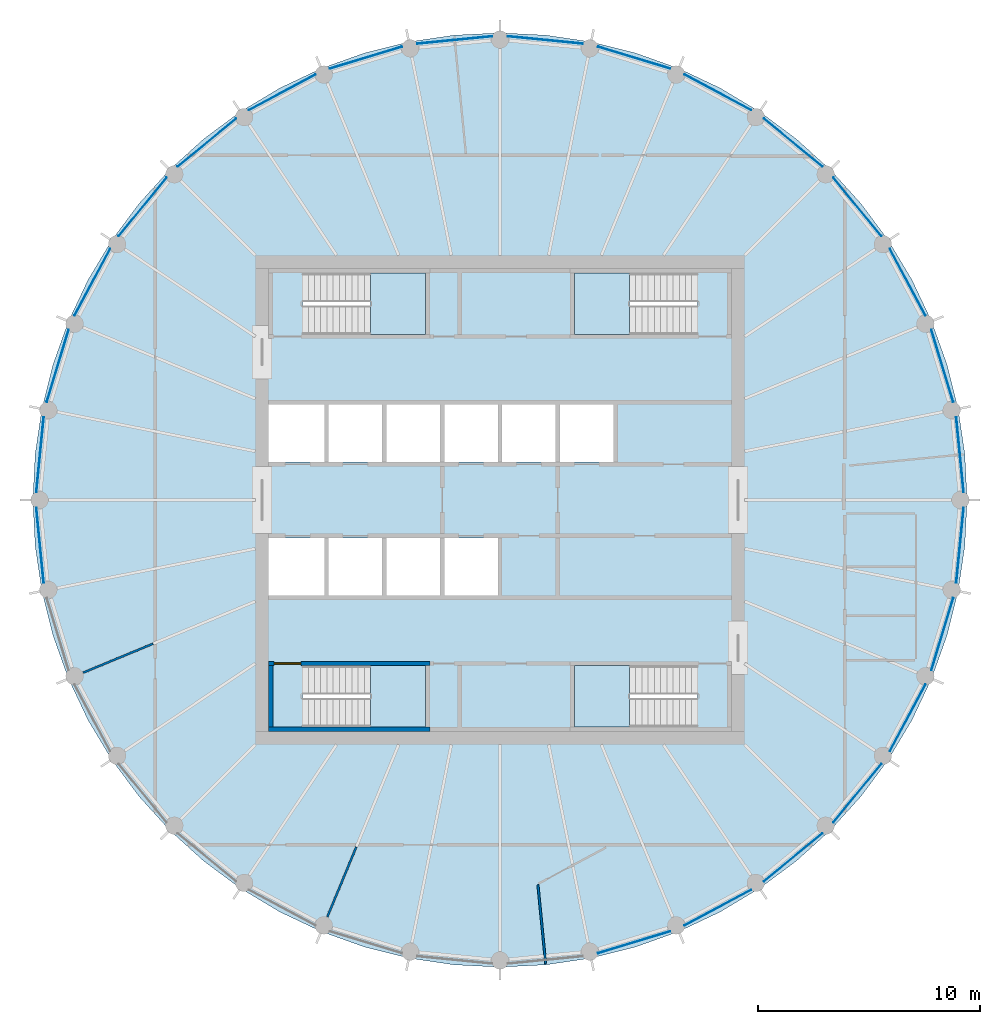
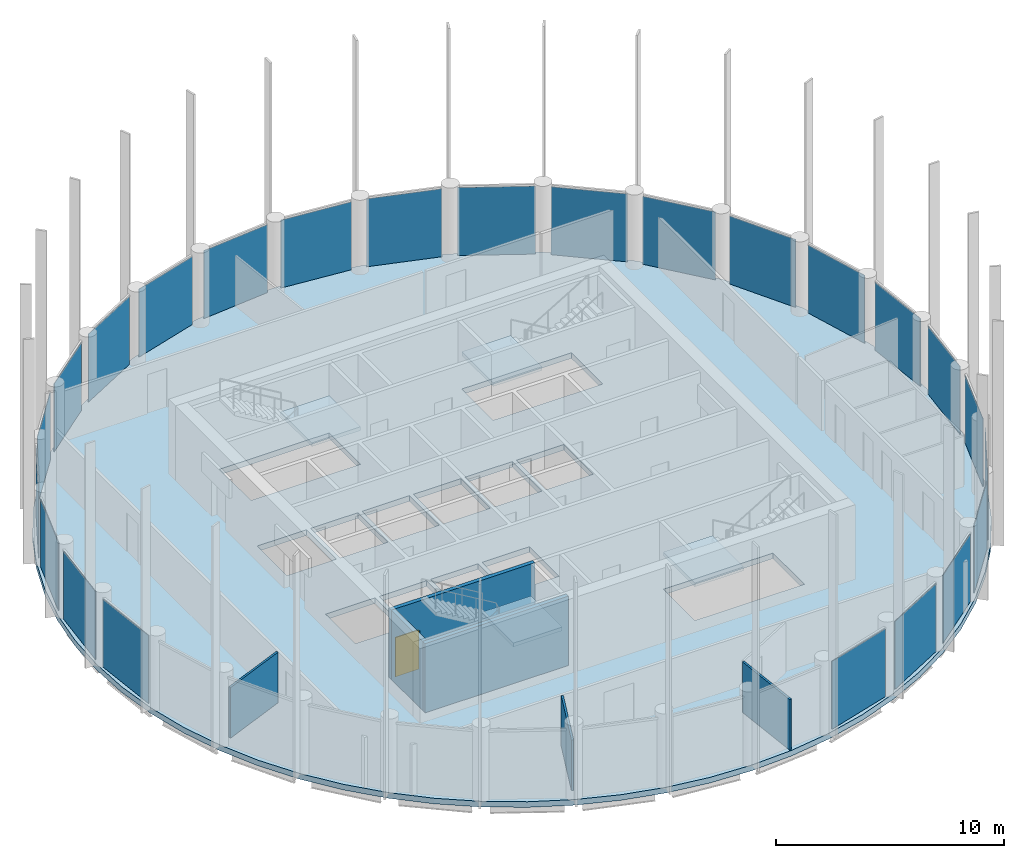
# One storey, part 3 of 7: 24 plates, 6 walls, 5 slabs, 1 door, 1 opening, 28 elements without a shape of their own.
"""IFC4 building model written with IfcOpenShell, lengths in metres."""

from ifc_helpers import new_model, si_unit, direction, frame, frame_2d, origin, origin_2d, place, context, subcontext, project, spatial, polyline, rectangle, outline, extrude, material, layer, layer_set, type_object, element, fill, aggregate, save


model = new_model("IFC4")

# Units and contexts
model_context = context("Model", 3, precision=1e-05, world=origin(), true_north=direction((0.0, 1.0)))
body_context = subcontext(model_context, "Body", "Model", "MODEL_VIEW")
ifc_project = project(units=[si_unit("LENGTHUNIT", "METRE"), si_unit("AREAUNIT", "SQUARE_METRE"), si_unit("VOLUMEUNIT", "CUBIC_METRE"), si_unit("PLANEANGLEUNIT", "RADIAN"), si_unit("MASSUNIT", "GRAM", prefix="KILO")], contexts=[model_context])

# Site, building, storey
site_placement = place(None, origin())
site = spatial("IfcSite", under=ifc_project, at=site_placement, CompositionType="ELEMENT")
building_placement = place(site_placement, origin())
building = spatial("IfcBuilding", under=site, at=building_placement, Name="Corvane Civic Tower", CompositionType="ELEMENT")
storey_placement = place(building_placement, frame((0.0, 0.0, 356.5)))
storey = spatial("IfcBuildingStorey", under=building, at=storey_placement, Name="L85", CompositionType="ELEMENT", Elevation=356.5)

# Slab
ifc_material_1 = material(Name="Concrete C40/50", Category="concrete")
ifc_layer_1 = layer(ifc_material_1, 0.300048828125)
ifc_layer_set_1 = layer_set([ifc_layer_1], Name="Concrete C40/50")
slab_type_1 = type_object("IfcSlabType", Name="FLOOR SLAB 300", PredefinedType="FLOOR", material=ifc_layer_set_1)
slab_1_placement = place(storey_placement, frame((0.0, 0.0, -0.300048828125)))
element("IfcSlab", 1, at=slab_1_placement, inside=storey, type_object=slab_type_1, Name="SLB-L85", PredefinedType="FLOOR", context=body_context, shape_type="SweptSolid", body=[
    extrude(outline(polyline([(0.0, 21.0), (-2.058349609375, 20.89892578125), (-4.096923828125, 20.596435546875), (-6.095947265625, 20.095703125), (-8.036376953125, 19.4013671875), (-9.8994140625, 18.520263671875), (-11.6669921875, 17.4609375), (-13.322265625, 16.233154296875), (-14.84912109375, 14.84912109375), (-16.233154296875, 13.322265625), (-17.4609375, 11.6669921875), (-18.520263671875, 9.8994140625), (-19.4013671875, 8.036376953125), (-20.095703125, 6.095947265625), (-20.596435546875, 4.096923828125), (-20.89892578125, 2.058349609375), (-21.0, 0.0), (-20.89892578125, -2.058349609375), (-20.596435546875, -4.096923828125), (-20.095703125, -6.095947265625), (-19.4013671875, -8.036376953125), (-18.520263671875, -9.8994140625), (-17.4609375, -11.6669921875), (-16.233154296875, -13.322265625), (-14.84912109375, -14.84912109375), (-13.322265625, -16.233154296875), (-11.6669921875, -17.4609375), (-9.8994140625, -18.520263671875), (-8.036376953125, -19.4013671875), (-6.095947265625, -20.095703125), (-4.096923828125, -20.596435546875), (-2.058349609375, -20.89892578125), (0.0, -21.0), (2.058349609375, -20.89892578125), (4.096923828125, -20.596435546875), (6.095947265625, -20.095703125), (8.036376953125, -19.4013671875), (9.8994140625, -18.520263671875), (11.6669921875, -17.4609375), (13.322265625, -16.233154296875), (14.84912109375, -14.84912109375), (16.233154296875, -13.322265625), (17.4609375, -11.6669921875), (18.520263671875, -9.8994140625), (19.4013671875, -8.036376953125), (20.095703125, -6.095947265625), (20.596435546875, -4.096923828125), (20.89892578125, -2.058349609375), (21.0, 0.0), (20.89892578125, 2.058349609375), (20.596435546875, 4.096923828125), (20.095703125, 6.095947265625), (19.4013671875, 8.036376953125), (18.520263671875, 9.8994140625), (17.4609375, 11.6669921875), (16.233154296875, 13.322265625), (14.84912109375, 14.84912109375), (13.322265625, 16.233154296875), (11.6669921875, 17.4609375), (9.8994140625, 18.520263671875), (8.036376953125, 19.4013671875), (6.095947265625, 20.095703125), (4.096923828125, 20.596435546875), (2.058349609375, 20.89892578125), (0.0, 21.0)]), holes=[polyline([(-10.39990234375, 4.300048828125), (-7.89990234375, 4.300048828125), (-7.89990234375, 1.699951171875), (-10.39990234375, 1.699951171875), (-10.39990234375, 4.300048828125)]), polyline([(-7.699951171875, 4.300048828125), (-5.300048828125, 4.300048828125), (-5.300048828125, 1.699951171875), (-7.699951171875, 1.699951171875), (-7.699951171875, 4.300048828125)]), polyline([(-5.10009765625, 4.300048828125), (-2.699951171875, 4.300048828125), (-2.699951171875, 1.699951171875), (-5.10009765625, 1.699951171875), (-5.10009765625, 4.300048828125)]), polyline([(-2.5, 4.300048828125), (-0.10009765625, 4.300048828125), (-0.10009765625, 1.699951171875), (-2.5, 1.699951171875), (-2.5, 4.300048828125)]), polyline([(0.10009765625, 4.300048828125), (2.5, 4.300048828125), (2.5, 1.699951171875), (0.10009765625, 1.699951171875), (0.10009765625, 4.300048828125)]), polyline([(2.699951171875, 4.300048828125), (5.10009765625, 4.300048828125), (5.10009765625, 1.699951171875), (2.699951171875, 1.699951171875), (2.699951171875, 4.300048828125)]), polyline([(-10.39990234375, -1.699951171875), (-7.89990234375, -1.699951171875), (-7.89990234375, -4.300048828125), (-10.39990234375, -4.300048828125), (-10.39990234375, -1.699951171875)]), polyline([(-7.699951171875, -4.300048828125), (-7.699951171875, -1.699951171875), (-5.300048828125, -1.699951171875), (-5.300048828125, -4.300048828125), (-7.699951171875, -4.300048828125)]), polyline([(-5.10009765625, -4.300048828125), (-5.10009765625, -1.699951171875), (-2.699951171875, -1.699951171875), (-2.699951171875, -4.300048828125), (-5.10009765625, -4.300048828125)]), polyline([(-0.10009765625, -1.699951171875), (-0.10009765625, -4.300048828125), (-2.5, -4.300048828125), (-2.5, -1.699951171875), (-0.10009765625, -1.699951171875)]), polyline([(8.889892578125, 10.199951171875), (8.889892578125, 7.449951171875), (3.35009765625, 7.449951171875), (3.35009765625, 10.199951171875), (8.889892578125, 10.199951171875)]), polyline([(-8.889892578125, 7.449951171875), (-8.889892578125, 10.199951171875), (-3.35009765625, 10.199951171875), (-3.35009765625, 7.449951171875), (-8.889892578125, 7.449951171875)]), polyline([(8.889892578125, -7.449951171875), (8.889892578125, -10.199951171875), (3.35009765625, -10.199951171875), (3.35009765625, -7.449951171875), (8.889892578125, -7.449951171875)]), polyline([(-8.889892578125, -10.199951171875), (-8.889892578125, -7.449951171875), (-3.35009765625, -7.449951171875), (-3.35009765625, -10.199951171875), (-8.889892578125, -10.199951171875)])]), origin(), (0.0, 0.0, 1.0), 0.300048828125),
])

# Stair, slab
ifc_material_2 = material(Name="Concrete C40/50", Category="concrete")
stair_type = type_object("IfcStairType", Name="ST-STAIR-HALFTURN", PredefinedType="HALF_TURN_STAIR", material=ifc_material_2)
stair_1_placement = place(storey_placement, origin())
stair_1 = element("IfcStair", 2, at=stair_1_placement, inside=storey, type_object=stair_type, Name="L85 Exit stair ST1", PredefinedType="HALF_TURN_STAIR")
ifc_material_3 = material(Name="Concrete C40/50", Category="concrete")
ifc_layer_2 = layer(ifc_material_3, 0.199951171875)
ifc_layer_set_2 = layer_set([ifc_layer_2], Name="Concrete C40/50")
slab_type_2 = type_object("IfcSlabType", Name="ST-LANDING-RC", PredefinedType="LANDING", material=ifc_layer_set_2)
slab_2_placement = place(storey_placement, frame((0.0, 0.0, 1.800048828125)))
slab_2 = element("IfcSlab", 3, at=slab_2_placement, type_object=slab_type_2, Name="ST1 landing 1", PredefinedType="LANDING", context=body_context, shape_type="SweptSolid", body=[
    extrude(outline(polyline([(5.820068359375, 10.199951171875), (3.35009765625, 10.199951171875), (3.35009765625, 7.449951171875), (5.820068359375, 7.449951171875), (5.820068359375, 10.199951171875)])), origin(), (0.0, 0.0, 1.0), 0.199951171875),
])
aggregate(stair_1, [slab_2])

stair_2_placement = place(storey_placement, origin())
stair_2 = element("IfcStair", 4, at=stair_2_placement, inside=storey, type_object=stair_type, Name="L85 Exit stair ST2", PredefinedType="HALF_TURN_STAIR")
slab_3_placement = place(storey_placement, frame((0.0, 0.0, 1.800048828125)))
slab_3 = element("IfcSlab", 5, at=slab_3_placement, type_object=slab_type_2, Name="ST2 landing 1", PredefinedType="LANDING", context=body_context, shape_type="SweptSolid", body=[
    extrude(outline(polyline([(5.820068359375, -7.449951171875), (3.35009765625, -7.449951171875), (3.35009765625, -10.199951171875), (5.820068359375, -10.199951171875), (5.820068359375, -7.449951171875)])), origin(), (0.0, 0.0, 1.0), 0.199951171875),
])
aggregate(stair_2, [slab_3])

stair_3_placement = place(storey_placement, origin())
stair_3 = element("IfcStair", 6, at=stair_3_placement, inside=storey, type_object=stair_type, Name="L85 Exit stair ST3", PredefinedType="HALF_TURN_STAIR")
slab_4_placement = place(storey_placement, frame((0.0, 0.0, 1.800048828125)))
slab_4 = element("IfcSlab", 7, at=slab_4_placement, type_object=slab_type_2, Name="ST3 landing 1", PredefinedType="LANDING", context=body_context, shape_type="SweptSolid", body=[
    extrude(outline(polyline([(-5.820068359375, -10.199951171875), (-3.35009765625, -10.199951171875), (-3.35009765625, -7.449951171875), (-5.820068359375, -7.449951171875), (-5.820068359375, -10.199951171875)])), origin(), (0.0, 0.0, 1.0), 0.199951171875),
])
aggregate(stair_3, [slab_4])

stair_4_placement = place(storey_placement, origin())
stair_4 = element("IfcStair", 8, at=stair_4_placement, inside=storey, type_object=stair_type, Name="L85 Exit stair ST4", PredefinedType="HALF_TURN_STAIR")
slab_5_placement = place(storey_placement, frame((0.0, 0.0, 1.800048828125)))
slab_5 = element("IfcSlab", 9, at=slab_5_placement, type_object=slab_type_2, Name="ST4 landing 1", PredefinedType="LANDING", context=body_context, shape_type="SweptSolid", body=[
    extrude(outline(polyline([(-5.820068359375, 7.449951171875), (-3.35009765625, 7.449951171875), (-3.35009765625, 10.199951171875), (-5.820068359375, 10.199951171875), (-5.820068359375, 7.449951171875)])), origin(), (0.0, 0.0, 1.0), 0.199951171875),
])
aggregate(stair_4, [slab_5])

# Curtain wall, plate
ifc_material_4 = material(Name="Anodised aluminium bronze", Category="aluminium")
curtain_wall_type = type_object("IfcCurtainWallType", Name="TOWER CW-T3 STICK CURTAIN WALL", PredefinedType="NOTDEFINED", material=ifc_material_4)
curtain_wall_1_placement = place(storey_placement, origin())
curtain_wall_1 = element("IfcCurtainWall", 10, at=curtain_wall_1_placement, inside=storey, type_object=curtain_wall_type, Name="Curtain wall CW-T3 L85 bay 01", PredefinedType="NOTDEFINED")
ifc_material_5 = material(Name="Tinted glass", Category="glass")
ifc_layer_3 = layer(ifc_material_5, 0.028076171875)
ifc_layer_set_3 = layer_set([ifc_layer_3], Name="Tinted glass")
plate_type = type_object("IfcPlateType", Name="TOWER CW-T3 PANEL IGU28", PredefinedType="CURTAIN_PANEL", material=ifc_layer_set_3)
plate_1_placement = place(storey_placement, frame((2.03662109375, 20.679443359375, 0.0), z_axis=(0.0, 0.0, 1.0), x_axis=(0.995186641028, -0.097997701601, 0.0)))
plate_1 = element("IfcPlate", 11, at=plate_1_placement, type_object=plate_type, Name="Glass panel CW-T3 L85 01.1", PredefinedType="CURTAIN_PANEL", context=body_context, shape_type="SweptSolid", body=[
    extrude(rectangle(XDim=3.402587890625, YDim=0.028076171875, at=origin_2d()), origin(), (0.0, 0.0, 1.0), 3.6298828125),
])
aggregate(curtain_wall_1, [plate_1])

curtain_wall_2_placement = place(storey_placement, origin())
curtain_wall_2 = element("IfcCurtainWall", 12, at=curtain_wall_2_placement, inside=storey, type_object=curtain_wall_type, Name="Curtain wall CW-T3 L85 bay 02", PredefinedType="NOTDEFINED")
plate_2_placement = place(storey_placement, frame((6.031982421875, 19.884765625, 0.0), z_axis=(0.0, 0.0, 1.0), x_axis=(0.956938582641, -0.290290456359, 0.0)))
plate_2 = element("IfcPlate", 13, at=plate_2_placement, type_object=plate_type, Name="Glass panel CW-T3 L85 02.1", PredefinedType="CURTAIN_PANEL", context=body_context, shape_type="SweptSolid", body=[
    extrude(rectangle(XDim=3.40283203125, YDim=0.028076171875, at=origin_2d()), origin(), (0.0, 0.0, 1.0), 3.6298828125),
])
aggregate(curtain_wall_2, [plate_2])

curtain_wall_3_placement = place(storey_placement, origin())
curtain_wall_3 = element("IfcCurtainWall", 14, at=curtain_wall_3_placement, inside=storey, type_object=curtain_wall_type, Name="Curtain wall CW-T3 L85 bay 03", PredefinedType="NOTDEFINED")
plate_3_placement = place(storey_placement, frame((9.79541015625, 18.325927734375, 0.0), z_axis=(0.0, 0.0, 1.0), x_axis=(0.88192824848, -0.471383670202, 0.0)))
plate_3 = element("IfcPlate", 15, at=plate_3_placement, type_object=plate_type, Name="Glass panel CW-T3 L85 03.1", PredefinedType="CURTAIN_PANEL", context=body_context, shape_type="SweptSolid", body=[
    extrude(rectangle(XDim=3.40234375, YDim=0.028076171875, at=origin_2d()), origin(), (0.0, 0.0, 1.0), 3.6298828125),
])
aggregate(curtain_wall_3, [plate_3])

curtain_wall_4_placement = place(storey_placement, origin())
curtain_wall_4 = element("IfcCurtainWall", 16, at=curtain_wall_4_placement, inside=storey, type_object=curtain_wall_type, Name="Curtain wall CW-T3 L85 bay 04", PredefinedType="NOTDEFINED")
plate_4_placement = place(storey_placement, frame((13.182373046875, 16.062744140625, 0.0), z_axis=(0.0, 0.0, 1.0), x_axis=(0.773010369391, -0.634393386484, 0.0)))
plate_4 = element("IfcPlate", 17, at=plate_4_placement, type_object=plate_type, Name="Glass panel CW-T3 L85 04.1", PredefinedType="CURTAIN_PANEL", context=body_context, shape_type="SweptSolid", body=[
    extrude(rectangle(XDim=3.402587890625, YDim=0.028076171875, at=origin_2d()), origin(), (0.0, 0.0, 1.0), 3.6298828125),
])
aggregate(curtain_wall_4, [plate_4])

curtain_wall_5_placement = place(storey_placement, origin())
curtain_wall_5 = element("IfcCurtainWall", 18, at=curtain_wall_5_placement, inside=storey, type_object=curtain_wall_type, Name="Curtain wall CW-T3 L85 bay 05", PredefinedType="NOTDEFINED")
plate_5_placement = place(storey_placement, frame((16.062744140625, 13.182373046875, 0.0), z_axis=(0.0, 0.0, 1.0), x_axis=(0.634393386484, -0.773010369391, 0.0)))
plate_5 = element("IfcPlate", 19, at=plate_5_placement, type_object=plate_type, Name="Glass panel CW-T3 L85 05.1", PredefinedType="CURTAIN_PANEL", context=body_context, shape_type="SweptSolid", body=[
    extrude(rectangle(XDim=3.402587890625, YDim=0.028076171875, at=origin_2d()), origin(), (0.0, 0.0, 1.0), 3.6298828125),
])
aggregate(curtain_wall_5, [plate_5])

curtain_wall_6_placement = place(storey_placement, origin())
curtain_wall_6 = element("IfcCurtainWall", 20, at=curtain_wall_6_placement, inside=storey, type_object=curtain_wall_type, Name="Curtain wall CW-T3 L85 bay 06", PredefinedType="NOTDEFINED")
plate_6_placement = place(storey_placement, frame((18.325927734375, 9.79541015625, 0.0), z_axis=(0.0, 0.0, 1.0), x_axis=(0.471383670202, -0.88192824848, 0.0)))
plate_6 = element("IfcPlate", 21, at=plate_6_placement, type_object=plate_type, Name="Glass panel CW-T3 L85 06.1", PredefinedType="CURTAIN_PANEL", context=body_context, shape_type="SweptSolid", body=[
    extrude(rectangle(XDim=3.40234375, YDim=0.028076171875, at=origin_2d()), origin(), (0.0, 0.0, 1.0), 3.6298828125),
])
aggregate(curtain_wall_6, [plate_6])

curtain_wall_7_placement = place(storey_placement, origin())
curtain_wall_7 = element("IfcCurtainWall", 22, at=curtain_wall_7_placement, inside=storey, type_object=curtain_wall_type, Name="Curtain wall CW-T3 L85 bay 07", PredefinedType="NOTDEFINED")
plate_7_placement = place(storey_placement, frame((19.884765625, 6.031982421875, 0.0), z_axis=(0.0, 0.0, 1.0), x_axis=(0.290290456359, -0.956938582641, 0.0)))
plate_7 = element("IfcPlate", 23, at=plate_7_placement, type_object=plate_type, Name="Glass panel CW-T3 L85 07.1", PredefinedType="CURTAIN_PANEL", context=body_context, shape_type="SweptSolid", body=[
    extrude(rectangle(XDim=3.40283203125, YDim=0.028076171875, at=origin_2d()), origin(), (0.0, 0.0, 1.0), 3.6298828125),
])
aggregate(curtain_wall_7, [plate_7])

curtain_wall_8_placement = place(storey_placement, origin())
curtain_wall_8 = element("IfcCurtainWall", 24, at=curtain_wall_8_placement, inside=storey, type_object=curtain_wall_type, Name="Curtain wall CW-T3 L85 bay 08", PredefinedType="NOTDEFINED")
plate_8_placement = place(storey_placement, frame((20.679443359375, 2.03662109375, 0.0), z_axis=(0.0, 0.0, 1.0), x_axis=(0.097997701601, -0.995186641028, 0.0)))
plate_8 = element("IfcPlate", 25, at=plate_8_placement, type_object=plate_type, Name="Glass panel CW-T3 L85 08.1", PredefinedType="CURTAIN_PANEL", context=body_context, shape_type="SweptSolid", body=[
    extrude(rectangle(XDim=3.402587890625, YDim=0.028076171875, at=origin_2d()), origin(), (0.0, 0.0, 1.0), 3.6298828125),
])
aggregate(curtain_wall_8, [plate_8])

curtain_wall_9_placement = place(storey_placement, origin())
curtain_wall_9 = element("IfcCurtainWall", 26, at=curtain_wall_9_placement, inside=storey, type_object=curtain_wall_type, Name="Curtain wall CW-T3 L85 bay 09", PredefinedType="NOTDEFINED")
plate_9_placement = place(storey_placement, frame((20.679443359375, -2.03662109375, 0.0), z_axis=(0.0, 0.0, 1.0), x_axis=(-0.097997701601, -0.995186641028, 0.0)))
plate_9 = element("IfcPlate", 27, at=plate_9_placement, type_object=plate_type, Name="Glass panel CW-T3 L85 09.1", PredefinedType="CURTAIN_PANEL", context=body_context, shape_type="SweptSolid", body=[
    extrude(rectangle(XDim=3.402587890625, YDim=0.028076171875, at=origin_2d()), origin(), (0.0, 0.0, 1.0), 3.6298828125),
])
aggregate(curtain_wall_9, [plate_9])

curtain_wall_10_placement = place(storey_placement, origin())
curtain_wall_10 = element("IfcCurtainWall", 28, at=curtain_wall_10_placement, inside=storey, type_object=curtain_wall_type, Name="Curtain wall CW-T3 L85 bay 10", PredefinedType="NOTDEFINED")
plate_10_placement = place(storey_placement, frame((19.884765625, -6.031982421875, 0.0), z_axis=(0.0, 0.0, 1.0), x_axis=(-0.290290456359, -0.956938582641, 0.0)))
plate_10 = element("IfcPlate", 29, at=plate_10_placement, type_object=plate_type, Name="Glass panel CW-T3 L85 10.1", PredefinedType="CURTAIN_PANEL", context=body_context, shape_type="SweptSolid", body=[
    extrude(rectangle(XDim=3.40283203125, YDim=0.028076171875, at=origin_2d()), origin(), (0.0, 0.0, 1.0), 3.6298828125),
])
aggregate(curtain_wall_10, [plate_10])

curtain_wall_11_placement = place(storey_placement, origin())
curtain_wall_11 = element("IfcCurtainWall", 30, at=curtain_wall_11_placement, inside=storey, type_object=curtain_wall_type, Name="Curtain wall CW-T3 L85 bay 11", PredefinedType="NOTDEFINED")
plate_11_placement = place(storey_placement, frame((18.325927734375, -9.79541015625, 0.0), z_axis=(0.0, 0.0, 1.0), x_axis=(-0.471383670202, -0.88192824848, 0.0)))
plate_11 = element("IfcPlate", 31, at=plate_11_placement, type_object=plate_type, Name="Glass panel CW-T3 L85 11.1", PredefinedType="CURTAIN_PANEL", context=body_context, shape_type="SweptSolid", body=[
    extrude(rectangle(XDim=3.40234375, YDim=0.028076171875, at=origin_2d()), origin(), (0.0, 0.0, 1.0), 3.6298828125),
])
aggregate(curtain_wall_11, [plate_11])

curtain_wall_12_placement = place(storey_placement, origin())
curtain_wall_12 = element("IfcCurtainWall", 32, at=curtain_wall_12_placement, inside=storey, type_object=curtain_wall_type, Name="Curtain wall CW-T3 L85 bay 12", PredefinedType="NOTDEFINED")
plate_12_placement = place(storey_placement, frame((16.062744140625, -13.182373046875, 0.0), z_axis=(0.0, 0.0, 1.0), x_axis=(-0.634393386484, -0.773010369391, 0.0)))
plate_12 = element("IfcPlate", 33, at=plate_12_placement, type_object=plate_type, Name="Glass panel CW-T3 L85 12.1", PredefinedType="CURTAIN_PANEL", context=body_context, shape_type="SweptSolid", body=[
    extrude(rectangle(XDim=3.402587890625, YDim=0.028076171875, at=origin_2d()), origin(), (0.0, 0.0, 1.0), 3.6298828125),
])
aggregate(curtain_wall_12, [plate_12])

curtain_wall_13_placement = place(storey_placement, origin())
curtain_wall_13 = element("IfcCurtainWall", 34, at=curtain_wall_13_placement, inside=storey, type_object=curtain_wall_type, Name="Curtain wall CW-T3 L85 bay 13", PredefinedType="NOTDEFINED")
plate_13_placement = place(storey_placement, frame((13.182373046875, -16.062744140625, 0.0), z_axis=(0.0, 0.0, 1.0), x_axis=(-0.773010369391, -0.634393386484, 0.0)))
plate_13 = element("IfcPlate", 35, at=plate_13_placement, type_object=plate_type, Name="Glass panel CW-T3 L85 13.1", PredefinedType="CURTAIN_PANEL", context=body_context, shape_type="SweptSolid", body=[
    extrude(rectangle(XDim=3.402587890625, YDim=0.028076171875, at=origin_2d()), origin(), (0.0, 0.0, 1.0), 3.6298828125),
])
aggregate(curtain_wall_13, [plate_13])

curtain_wall_14_placement = place(storey_placement, origin())
curtain_wall_14 = element("IfcCurtainWall", 36, at=curtain_wall_14_placement, inside=storey, type_object=curtain_wall_type, Name="Curtain wall CW-T3 L85 bay 14", PredefinedType="NOTDEFINED")
plate_14_placement = place(storey_placement, frame((9.79541015625, -18.325927734375, 0.0), z_axis=(0.0, 0.0, 1.0), x_axis=(-0.88192824848, -0.471383670202, 0.0)))
plate_14 = element("IfcPlate", 37, at=plate_14_placement, type_object=plate_type, Name="Glass panel CW-T3 L85 14.1", PredefinedType="CURTAIN_PANEL", context=body_context, shape_type="SweptSolid", body=[
    extrude(rectangle(XDim=3.40234375, YDim=0.028076171875, at=origin_2d()), origin(), (0.0, 0.0, 1.0), 3.6298828125),
])
aggregate(curtain_wall_14, [plate_14])

curtain_wall_15_placement = place(storey_placement, origin())
curtain_wall_15 = element("IfcCurtainWall", 38, at=curtain_wall_15_placement, inside=storey, type_object=curtain_wall_type, Name="Curtain wall CW-T3 L85 bay 15", PredefinedType="NOTDEFINED")
plate_15_placement = place(storey_placement, frame((6.031982421875, -19.884765625, 0.0), z_axis=(0.0, 0.0, 1.0), x_axis=(-0.956938582641, -0.290290456359, 0.0)))
plate_15 = element("IfcPlate", 39, at=plate_15_placement, type_object=plate_type, Name="Glass panel CW-T3 L85 15.1", PredefinedType="CURTAIN_PANEL", context=body_context, shape_type="SweptSolid", body=[
    extrude(rectangle(XDim=3.40283203125, YDim=0.028076171875, at=origin_2d()), origin(), (0.0, 0.0, 1.0), 3.6298828125),
])
aggregate(curtain_wall_15, [plate_15])

curtain_wall_16_placement = place(storey_placement, origin())
curtain_wall_16 = element("IfcCurtainWall", 40, at=curtain_wall_16_placement, inside=storey, type_object=curtain_wall_type, Name="Curtain wall CW-T3 L85 bay 24", PredefinedType="NOTDEFINED")
plate_16_placement = place(storey_placement, frame((-20.679443359375, -2.03662109375, 0.0), z_axis=(0.0, 0.0, 1.0), x_axis=(-0.097997701601, 0.995186641028, 0.0)))
plate_16 = element("IfcPlate", 41, at=plate_16_placement, type_object=plate_type, Name="Glass panel CW-T3 L85 24.1", PredefinedType="CURTAIN_PANEL", context=body_context, shape_type="SweptSolid", body=[
    extrude(rectangle(XDim=3.402587890625, YDim=0.028076171875, at=origin_2d()), origin(), (0.0, 0.0, 1.0), 3.6298828125),
])
aggregate(curtain_wall_16, [plate_16])

curtain_wall_17_placement = place(storey_placement, origin())
curtain_wall_17 = element("IfcCurtainWall", 42, at=curtain_wall_17_placement, inside=storey, type_object=curtain_wall_type, Name="Curtain wall CW-T3 L85 bay 25", PredefinedType="NOTDEFINED")
plate_17_placement = place(storey_placement, frame((-20.679443359375, 2.03662109375, 0.0), z_axis=(0.0, 0.0, 1.0), x_axis=(0.097997701601, 0.995186641028, 0.0)))
plate_17 = element("IfcPlate", 43, at=plate_17_placement, type_object=plate_type, Name="Glass panel CW-T3 L85 25.1", PredefinedType="CURTAIN_PANEL", context=body_context, shape_type="SweptSolid", body=[
    extrude(rectangle(XDim=3.402587890625, YDim=0.028076171875, at=origin_2d()), origin(), (0.0, 0.0, 1.0), 3.6298828125),
])
aggregate(curtain_wall_17, [plate_17])

curtain_wall_18_placement = place(storey_placement, origin())
curtain_wall_18 = element("IfcCurtainWall", 44, at=curtain_wall_18_placement, inside=storey, type_object=curtain_wall_type, Name="Curtain wall CW-T3 L85 bay 26", PredefinedType="NOTDEFINED")
plate_18_placement = place(storey_placement, frame((-19.884765625, 6.031982421875, 0.0), z_axis=(0.0, 0.0, 1.0), x_axis=(0.290290456359, 0.956938582641, 0.0)))
plate_18 = element("IfcPlate", 45, at=plate_18_placement, type_object=plate_type, Name="Glass panel CW-T3 L85 26.1", PredefinedType="CURTAIN_PANEL", context=body_context, shape_type="SweptSolid", body=[
    extrude(rectangle(XDim=3.40283203125, YDim=0.028076171875, at=origin_2d()), origin(), (0.0, 0.0, 1.0), 3.6298828125),
])
aggregate(curtain_wall_18, [plate_18])

curtain_wall_19_placement = place(storey_placement, origin())
curtain_wall_19 = element("IfcCurtainWall", 46, at=curtain_wall_19_placement, inside=storey, type_object=curtain_wall_type, Name="Curtain wall CW-T3 L85 bay 27", PredefinedType="NOTDEFINED")
plate_19_placement = place(storey_placement, frame((-18.325927734375, 9.79541015625, 0.0), z_axis=(0.0, 0.0, 1.0), x_axis=(0.471383670202, 0.88192824848, 0.0)))
plate_19 = element("IfcPlate", 47, at=plate_19_placement, type_object=plate_type, Name="Glass panel CW-T3 L85 27.1", PredefinedType="CURTAIN_PANEL", context=body_context, shape_type="SweptSolid", body=[
    extrude(rectangle(XDim=3.40234375, YDim=0.028076171875, at=origin_2d()), origin(), (0.0, 0.0, 1.0), 3.6298828125),
])
aggregate(curtain_wall_19, [plate_19])

curtain_wall_20_placement = place(storey_placement, origin())
curtain_wall_20 = element("IfcCurtainWall", 48, at=curtain_wall_20_placement, inside=storey, type_object=curtain_wall_type, Name="Curtain wall CW-T3 L85 bay 28", PredefinedType="NOTDEFINED")
plate_20_placement = place(storey_placement, frame((-16.062744140625, 13.182373046875, 0.0), z_axis=(0.0, 0.0, 1.0), x_axis=(0.634393386484, 0.773010369391, 0.0)))
plate_20 = element("IfcPlate", 49, at=plate_20_placement, type_object=plate_type, Name="Glass panel CW-T3 L85 28.1", PredefinedType="CURTAIN_PANEL", context=body_context, shape_type="SweptSolid", body=[
    extrude(rectangle(XDim=3.402587890625, YDim=0.028076171875, at=origin_2d()), origin(), (0.0, 0.0, 1.0), 3.6298828125),
])
aggregate(curtain_wall_20, [plate_20])

curtain_wall_21_placement = place(storey_placement, origin())
curtain_wall_21 = element("IfcCurtainWall", 50, at=curtain_wall_21_placement, inside=storey, type_object=curtain_wall_type, Name="Curtain wall CW-T3 L85 bay 29", PredefinedType="NOTDEFINED")
plate_21_placement = place(storey_placement, frame((-13.182373046875, 16.062744140625, 0.0), z_axis=(0.0, 0.0, 1.0), x_axis=(0.773010369391, 0.634393386484, 0.0)))
plate_21 = element("IfcPlate", 51, at=plate_21_placement, type_object=plate_type, Name="Glass panel CW-T3 L85 29.1", PredefinedType="CURTAIN_PANEL", context=body_context, shape_type="SweptSolid", body=[
    extrude(rectangle(XDim=3.402587890625, YDim=0.028076171875, at=origin_2d()), origin(), (0.0, 0.0, 1.0), 3.6298828125),
])
aggregate(curtain_wall_21, [plate_21])

curtain_wall_22_placement = place(storey_placement, origin())
curtain_wall_22 = element("IfcCurtainWall", 52, at=curtain_wall_22_placement, inside=storey, type_object=curtain_wall_type, Name="Curtain wall CW-T3 L85 bay 30", PredefinedType="NOTDEFINED")
plate_22_placement = place(storey_placement, frame((-9.79541015625, 18.325927734375, 0.0), z_axis=(0.0, 0.0, 1.0), x_axis=(0.88192824848, 0.471383670202, 0.0)))
plate_22 = element("IfcPlate", 53, at=plate_22_placement, type_object=plate_type, Name="Glass panel CW-T3 L85 30.1", PredefinedType="CURTAIN_PANEL", context=body_context, shape_type="SweptSolid", body=[
    extrude(rectangle(XDim=3.40234375, YDim=0.028076171875, at=origin_2d()), origin(), (0.0, 0.0, 1.0), 3.6298828125),
])
aggregate(curtain_wall_22, [plate_22])

curtain_wall_23_placement = place(storey_placement, origin())
curtain_wall_23 = element("IfcCurtainWall", 54, at=curtain_wall_23_placement, inside=storey, type_object=curtain_wall_type, Name="Curtain wall CW-T3 L85 bay 31", PredefinedType="NOTDEFINED")
plate_23_placement = place(storey_placement, frame((-6.031982421875, 19.884765625, 0.0), z_axis=(0.0, 0.0, 1.0), x_axis=(0.956938582641, 0.290290456359, 0.0)))
plate_23 = element("IfcPlate", 55, at=plate_23_placement, type_object=plate_type, Name="Glass panel CW-T3 L85 31.1", PredefinedType="CURTAIN_PANEL", context=body_context, shape_type="SweptSolid", body=[
    extrude(rectangle(XDim=3.40283203125, YDim=0.028076171875, at=origin_2d()), origin(), (0.0, 0.0, 1.0), 3.6298828125),
])
aggregate(curtain_wall_23, [plate_23])

curtain_wall_24_placement = place(storey_placement, origin())
curtain_wall_24 = element("IfcCurtainWall", 56, at=curtain_wall_24_placement, inside=storey, type_object=curtain_wall_type, Name="Curtain wall CW-T3 L85 bay 32", PredefinedType="NOTDEFINED")
plate_24_placement = place(storey_placement, frame((-2.03662109375, 20.679443359375, 0.0), z_axis=(0.0, 0.0, 1.0), x_axis=(0.995186641028, 0.097997701601, 0.0)))
plate_24 = element("IfcPlate", 57, at=plate_24_placement, type_object=plate_type, Name="Glass panel CW-T3 L85 32.1", PredefinedType="CURTAIN_PANEL", context=body_context, shape_type="SweptSolid", body=[
    extrude(rectangle(XDim=3.402587890625, YDim=0.028076171875, at=origin_2d()), origin(), (0.0, 0.0, 1.0), 3.6298828125),
])
aggregate(curtain_wall_24, [plate_24])

# Walls
ifc_material_6 = material(Name="Plasterboard")
ifc_layer_4 = layer(ifc_material_6, 0.10009765625)
ifc_layer_set_4 = layer_set([ifc_layer_4], Name="Plasterboard")
wall_type_1 = type_object("IfcWallType", Name="Partition 100 plasterboard on studs", PredefinedType="PARTITIONING", material=ifc_layer_set_4)
wall_1_placement = place(storey_placement, frame((1.70361328125, -17.295654296875, 0.0), z_axis=(0.0, 0.0, 1.0), x_axis=(0.097973745304, -0.995188999754, 0.0)))
element("IfcWall", 58, at=wall_1_placement, inside=storey, type_object=wall_type_1, Name="Partition L85.001", PredefinedType="PARTITIONING", context=body_context, shape_type="SweptSolid", body=[
    extrude(rectangle(XDim=3.57080078125, YDim=0.10009765625, at=frame_2d((1.785400390625, 0.0))), origin(), (0.0, 0.0, 1.0), 2.699951171875),
])
for number, where, z_axis, x_axis, name in (
    (59, (-7.7646484375, -18.74560546875, 0.0), (0.0, 0.0, 1.0), (0.382678369606, 0.923881629558, 0.0), "Partition L85.002"),
    (60, (-18.74560546875, -7.7646484375, 0.0), (0.0, 0.0, 1.0), (0.923881629558, 0.382678369606, 0.0), "Partition L85.007"),
):
    element("IfcWall", number, at=place(storey_placement, frame(where, z_axis=z_axis, x_axis=x_axis)), inside=storey, type_object=wall_type_1, Name=name, PredefinedType="PARTITIONING", context=body_context, shape_type="SweptSolid", body=[
        extrude(rectangle(XDim=3.411376953125, YDim=0.10009765625, at=frame_2d((1.70556640625, 0.0))), origin(), (0.0, 0.0, 1.0), 2.699951171875),
    ])

# Wall, opening, door
ifc_material_7 = material(Name="Concrete C50/60", Category="concrete")
ifc_layer_5 = layer(ifc_material_7, 0.199951171875)
ifc_layer_set_5 = layer_set([ifc_layer_5], Name="Concrete C50/60")
wall_type_2 = type_object("IfcWallType", Name="ST-WALL-200", PredefinedType="SHEAR", material=ifc_layer_set_5)
wall_2_placement = place(storey_placement, frame((-10.39990234375, -7.35009765625, 0.0), z_axis=(0.0, 0.0, 1.0), x_axis=(1.0, 0.0, 0.0)))
wall_2 = element("IfcWall", 61, at=wall_2_placement, inside=storey, type_object=wall_type_2, Name="L85 stair enclosure wall", PredefinedType="SHEAR", context=body_context, shape_type="SweptSolid", body=[
    extrude(rectangle(XDim=7.25, YDim=0.199951171875, at=frame_2d((3.625, 0.0))), origin(), (0.0, 0.0, 1.0), 3.699951171875),
])
opening_placement = place(wall_2_placement, frame((0.25, 0.0, 0.0)))
opening = element("IfcOpeningElement", 62, at=opening_placement, cuts=wall_2, Name="Opening L85.C11", PredefinedType="OPENING", context=body_context, shape_type="SweptSolid", body=[
    extrude(rectangle(XDim=1.199951171875, YDim=2.10009765625, at=frame_2d((0.60009765625, 1.050048828125))), frame((0.0, 0.10986328125, 0.0), z_axis=(0.0, -1.0, 0.0), x_axis=(1.0, 0.0, 0.0)), (0.0, 0.0, 1.0), 0.219970703125),
])
ifc_material_8 = material(Name="Steel fire door leaf", Category="steel")
door_type = type_object("IfcDoorType", Name="ST-DOOR-1200", OperationType="SINGLE_SWING_RIGHT", PredefinedType="DOOR", material=ifc_material_8)
door_placement = place(opening_placement, origin())
door = element("IfcDoor", 63, at=door_placement, inside=storey, type_object=door_type, Name="L85 stair door", OperationType="SINGLE_SWING_RIGHT", OverallHeight=2.10009765625, OverallWidth=1.199951171875, PredefinedType="DOOR", context=body_context, shape_type="SweptSolid", body=[
    extrude(rectangle(XDim=1.199951171875, YDim=2.10009765625, at=frame_2d((0.60009765625, 1.050048828125))), frame((0.0, 0.02490234375, 0.0), z_axis=(0.0, -1.0, 0.0), x_axis=(1.0, 0.0, 0.0)), (0.0, 0.0, 1.0), 0.050048828125),
])
fill(opening, door)

# Walls
wall_3_placement = place(storey_placement, origin())
element("IfcWall", 64, at=wall_3_placement, inside=storey, type_object=wall_type_2, Name="L85 stair enclosure wall", PredefinedType="SHEAR", context=body_context, shape_type="SweptSolid", body=[
    extrude(outline(polyline([(-3.14990234375, -10.199951171875), (-3.14990234375, -10.39990234375), (-10.39990234375, -10.39990234375), (-10.39990234375, -10.199951171875), (-3.14990234375, -10.199951171875)])), origin(), (0.0, 0.0, 1.0), 3.699951171875),
])
wall_4_placement = place(storey_placement, origin())
element("IfcWall", 65, at=wall_4_placement, inside=storey, type_object=wall_type_2, Name="L85 stair enclosure wall", PredefinedType="SHEAR", context=body_context, shape_type="SweptSolid", body=[
    extrude(outline(polyline([(-10.199951171875, -7.449951171875), (-10.199951171875, -10.199951171875), (-10.39990234375, -10.199951171875), (-10.39990234375, -7.449951171875), (-10.199951171875, -7.449951171875)])), origin(), (0.0, 0.0, 1.0), 3.699951171875),
])

save(model, "model.ifc")
